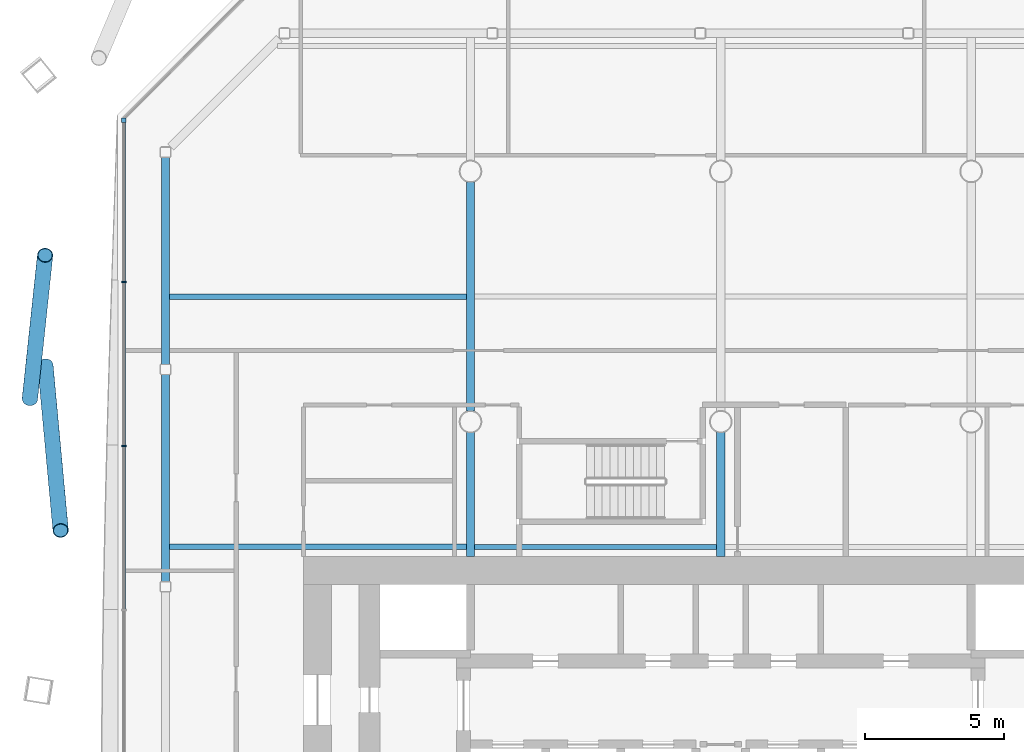
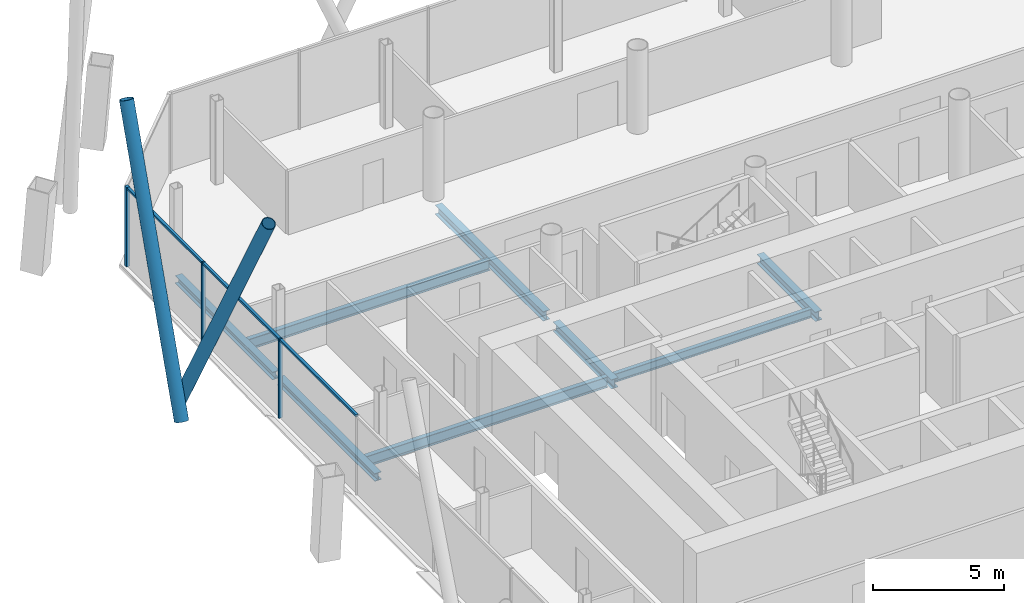
# One storey, part 8 of 22: 8 beams, 8 members, 1 element without a shape of its own.
"""IFC4 building model written with IfcOpenShell, lengths in metres."""

from ifc_helpers import new_model, si_unit, direction, frame, origin, origin_2d, place, context, subcontext, project, spatial, rectangle, hollow_circle, i_section, extrude, material, material_profile, profile_set, type_object, element, aggregate, save


model = new_model("IFC4")

# Units and contexts
model_context = context("Model", 3, precision=1e-05, world=origin(), true_north=direction((0.0, 1.0)))
body_context = subcontext(model_context, "Body", "Model", "MODEL_VIEW")
ifc_project = project(units=[si_unit("LENGTHUNIT", "METRE"), si_unit("AREAUNIT", "SQUARE_METRE"), si_unit("VOLUMEUNIT", "CUBIC_METRE"), si_unit("PLANEANGLEUNIT", "RADIAN"), si_unit("MASSUNIT", "GRAM", prefix="KILO")], contexts=[model_context])

# Site, building, storey
site_placement = place(None, origin())
site = spatial("IfcSite", under=ifc_project, at=site_placement, CompositionType="ELEMENT")
building_placement = place(site_placement, origin())
building = spatial("IfcBuilding", under=site, at=building_placement, Name="Tskaro Facet Tower", CompositionType="ELEMENT")
storey_placement = place(building_placement, frame((0.0, 0.0, 85.5)))
storey = spatial("IfcBuildingStorey", under=building, at=storey_placement, Name="L20", CompositionType="ELEMENT", Elevation=85.5)

# Members
ifc_material_1 = material(Name="Steel S355J2H", Category="steel")
ifc_material_profile_1 = material_profile(ifc_material_1, hollow_circle(Radius=0.279541015625, WallThickness=0.02490234375, at=origin_2d()), Name="CHS 559x25")
ifc_profile_set_1 = profile_set([ifc_material_profile_1], Name="Steel S355J2H")
member_type_1 = type_object("IfcMemberType", Name="CHS 559x25 brace", PredefinedType="BRACE", material=ifc_profile_set_1)
member_1_placement = place(storey_placement, frame((-24.283447265625, 11.010986328125, 0.0), z_axis=(0.041738890119, -0.45133429979, 0.891378267003), x_axis=(0.9957510629, 0.092085942104, 0.0)))
element("IfcMember", 1, at=member_1_placement, inside=storey, type_object=member_type_1, Name="CHS 559x25 XB10A/2", PredefinedType="BRACE", context=body_context, shape_type="SweptSolid", body=[
    extrude(hollow_circle(Radius=0.279541015625, WallThickness=0.02490234375, at=origin_2d()), origin(), (0.0, 0.0, 1.0), 13.125732421875),
])
member_2_placement = place(storey_placement, frame((-24.842529296875, 9.83154296875, 0.0), z_axis=(0.042830293979, 0.402814622306, 0.914278921322), x_axis=(-0.994394709147, 0.105731558304, 0.0)))
element("IfcMember", 2, at=member_2_placement, inside=storey, type_object=member_type_1, Name="CHS 559x25 XB10B/2", PredefinedType="BRACE", context=body_context, shape_type="SweptSolid", body=[
    extrude(hollow_circle(Radius=0.279541015625, WallThickness=0.02490234375, at=origin_2d()), origin(), (0.0, 0.0, 1.0), 12.796875),
])

# Curtain wall, members
ifc_material_2 = material(Name="Bronze anodised aluminium 6063-T6", Category="aluminium")
curtain_wall_type = type_object("IfcCurtainWallType", Name="Bronze office curtain wall (FW1)", PredefinedType="NOTDEFINED", material=ifc_material_2)
curtain_wall_placement = place(storey_placement, origin())
curtain_wall = element("IfcCurtainWall", 3, at=curtain_wall_placement, inside=storey, type_object=curtain_wall_type, Name="FW1 west facet L20", PredefinedType="NOTDEFINED")
ifc_material_profile_2 = material_profile(ifc_material_2, rectangle(XDim=0.159912109375, YDim=0.159912109375, at=origin_2d()), Name="Corner post 160x160")
ifc_profile_set_2 = profile_set([ifc_material_profile_2], Name="Bronze anodised aluminium 6063-T6")
member_type_2 = type_object("IfcMemberType", Name="FW1 bronze corner post 160x160", PredefinedType="MULLION", material=ifc_profile_set_2)
member_3_placement = place(storey_placement, frame((-21.462890625, 19.8330078125, 0.0), z_axis=(0.0, 0.0, 1.0), x_axis=(0.0, -1.0, 0.0)))
member_3 = element("IfcMember", 4, at=member_3_placement, type_object=member_type_2, Name="FW1 west corner post", PredefinedType="MULLION", context=body_context, shape_type="SweptSolid", body=[
    extrude(rectangle(XDim=0.159912109375, YDim=0.159912109375, at=origin_2d()), origin(), (0.0, 0.0, 1.0), 3.699951171875),
])
ifc_material_profile_3 = material_profile(ifc_material_2, rectangle(XDim=0.06005859375, YDim=0.159912109375, at=origin_2d()), Name="Mullion 60x160")
ifc_profile_set_3 = profile_set([ifc_material_profile_3], Name="Bronze anodised aluminium 6063-T6")
member_type_3 = type_object("IfcMemberType", Name="FW1 bronze mullion 60x160", PredefinedType="MULLION", material=ifc_profile_set_3)
member_4_placement = place(storey_placement, frame((-21.462890625, 14.0185546875, 0.0), z_axis=(0.0, 0.0, 1.0), x_axis=(0.0, -1.0, 0.0)))
member_4 = element("IfcMember", 5, at=member_4_placement, type_object=member_type_3, Name="FW1 west mullion 1", PredefinedType="MULLION", context=body_context, shape_type="SweptSolid", body=[
    extrude(rectangle(XDim=0.06005859375, YDim=0.159912109375, at=origin_2d()), origin(), (0.0, 0.0, 1.0), 3.699951171875),
])
member_5_placement = place(storey_placement, frame((-21.462890625, 8.1240234375, 0.0), z_axis=(0.0, 0.0, 1.0), x_axis=(0.0, -1.0, 0.0)))
member_5 = element("IfcMember", 6, at=member_5_placement, type_object=member_type_3, Name="FW1 west mullion 2", PredefinedType="MULLION", context=body_context, shape_type="SweptSolid", body=[
    extrude(rectangle(XDim=0.06005859375, YDim=0.159912109375, at=origin_2d()), origin(), (0.0, 0.0, 1.0), 3.699951171875),
])
ifc_material_profile_4 = material_profile(ifc_material_2, rectangle(XDim=0.1201171875, YDim=0.10009765625, at=origin_2d()), Name="Transom 120x100")
ifc_profile_set_4 = profile_set([ifc_material_profile_4], Name="Bronze anodised aluminium 6063-T6")
member_type_4 = type_object("IfcMemberType", Name="FW1 bronze transom 120x100", PredefinedType="USERDEFINED", material=ifc_profile_set_4)
member_6_placement = place(storey_placement, frame((-21.462890625, 19.7529296875, 3.64990234375), z_axis=(0.0, -1.0, 0.0), x_axis=(1.0, 0.0, 0.0)))
member_6 = element("IfcMember", 7, at=member_6_placement, type_object=member_type_4, Name="FW1 west transom 1.1", ObjectType="TRANSOM", PredefinedType="USERDEFINED", context=body_context, shape_type="SweptSolid", body=[
    extrude(rectangle(XDim=0.1201171875, YDim=0.10009765625, at=origin_2d()), origin(), (0.0, 0.0, 1.0), 5.704345703125),
])
member_7_placement = place(storey_placement, frame((-21.462890625, 13.988525390625, 3.64990234375), z_axis=(0.0, -1.0, 0.0), x_axis=(1.0, 0.0, 0.0)))
member_7 = element("IfcMember", 8, at=member_7_placement, type_object=member_type_4, Name="FW1 west transom 2.1", ObjectType="TRANSOM", PredefinedType="USERDEFINED", context=body_context, shape_type="SweptSolid", body=[
    extrude(rectangle(XDim=0.1201171875, YDim=0.10009765625, at=origin_2d()), origin(), (0.0, 0.0, 1.0), 5.83447265625),
])
member_8_placement = place(storey_placement, frame((-21.462890625, 8.09423828125, 3.64990234375), z_axis=(0.0, -1.0, 0.0), x_axis=(1.0, 0.0, 0.0)))
member_8 = element("IfcMember", 9, at=member_8_placement, type_object=member_type_4, Name="FW1 west transom 3.1", ObjectType="TRANSOM", PredefinedType="USERDEFINED", context=body_context, shape_type="SweptSolid", body=[
    extrude(rectangle(XDim=0.1201171875, YDim=0.10009765625, at=origin_2d()), origin(), (0.0, 0.0, 1.0), 5.83447265625),
])
aggregate(curtain_wall, [member_3, member_4, member_5, member_6, member_7, member_8])

# Beams
ifc_material_3 = material(Name="Steel S355J2", Category="steel")
ifc_material_profile_5 = material_profile(ifc_material_3, i_section(OverallWidth=0.300048828125, OverallDepth=0.360107421875, WebThickness=0.012451171875, FlangeThickness=0.0224609375, FilletRadius=0.027099609375, at=origin_2d()), Name="HE 360 B")
ifc_profile_set_5 = profile_set([ifc_material_profile_5], Name="Steel S355J2")
beam_type_1 = type_object("IfcBeamType", Name="HE 360 B ring beam", PredefinedType="BEAM", material=ifc_profile_set_5)
for number, where, z_axis, x_axis, name in (
    (10, (-19.965087890625, 18.510009765625, -0.320068359375), (0.0, -1.0, 0.0), (1.0, 0.0, 0.0), "HE 360 B EB19-2"),
    (11, (-19.965087890625, 10.698974609375, -0.320068359375), (0.0, -1.0, 0.0), (1.0, 0.0, 0.0), "HE 360 B EB20-2"),
):
    element("IfcBeam", number, at=place(storey_placement, frame(where, z_axis=z_axis, x_axis=x_axis)), inside=storey, type_object=beam_type_1, Name=name, PredefinedType="BEAM", context=body_context, shape_type="SweptSolid", body=[
        extrude(i_section(OverallWidth=0.300048828125, OverallDepth=0.360107421875, WebThickness=0.012451171875, FlangeThickness=0.0224609375, FilletRadius=0.027099609375, at=origin_2d()), origin(), (0.0, 0.0, 1.0), 7.450927734375),
    ])
ifc_material_profile_6 = material_profile(ifc_material_3, i_section(OverallWidth=0.300048828125, OverallDepth=0.43994140625, WebThickness=0.011474609375, FlangeThickness=0.02099609375, FilletRadius=0.027099609375, at=origin_2d()), Name="HE 450 A")
ifc_profile_set_6 = profile_set([ifc_material_profile_6], Name="Steel S355J2")
beam_type_2 = type_object("IfcBeamType", Name="HE 450 A girder", PredefinedType="BEAM", material=ifc_profile_set_6)
beam_1_placement = place(storey_placement, frame((-9.0, 4.14990234375, -0.360107421875), z_axis=(0.0, 1.0, 0.0), x_axis=(-1.0, 0.0, 0.0)))
element("IfcBeam", 12, at=beam_1_placement, inside=storey, type_object=beam_type_2, Name="HE 450 A GB3-3-2", PredefinedType="BEAM", context=body_context, shape_type="SweptSolid", body=[
    extrude(i_section(OverallWidth=0.300048828125, OverallDepth=0.43994140625, WebThickness=0.011474609375, FlangeThickness=0.02099609375, FilletRadius=0.027099609375, at=origin_2d()), origin(), (0.0, 0.0, 1.0), 4.4736328125),
])
beam_2_placement = place(storey_placement, frame((-9.0, 9.37646484375, -0.360107421875), z_axis=(0.0, 1.0, 0.0), x_axis=(-1.0, 0.0, 0.0)))
element("IfcBeam", 13, at=beam_2_placement, inside=storey, type_object=beam_type_2, Name="HE 450 A GB3-4-2", PredefinedType="BEAM", context=body_context, shape_type="SweptSolid", body=[
    extrude(i_section(OverallWidth=0.300048828125, OverallDepth=0.43994140625, WebThickness=0.011474609375, FlangeThickness=0.02099609375, FilletRadius=0.027099609375, at=origin_2d()), origin(), (0.0, 0.0, 1.0), 8.2470703125),
])
beam_3_placement = place(storey_placement, frame((0.0, 4.14990234375, -0.360107421875), z_axis=(0.0, 1.0, 0.0), x_axis=(-1.0, 0.0, 0.0)))
element("IfcBeam", 14, at=beam_3_placement, inside=storey, type_object=beam_type_2, Name="HE 450 A GB4-3-2", PredefinedType="BEAM", context=body_context, shape_type="SweptSolid", body=[
    extrude(i_section(OverallWidth=0.300048828125, OverallDepth=0.43994140625, WebThickness=0.011474609375, FlangeThickness=0.02099609375, FilletRadius=0.027099609375, at=origin_2d()), origin(), (0.0, 0.0, 1.0), 4.4736328125),
])
ifc_material_profile_7 = material_profile(ifc_material_3, i_section(OverallWidth=0.179931640625, OverallDepth=0.39990234375, WebThickness=0.008544921875, FlangeThickness=0.013427734375, FilletRadius=0.02099609375, at=origin_2d()), Name="IPE 400")
ifc_profile_set_7 = profile_set([ifc_material_profile_7], Name="Steel S355J2")
beam_type_3 = type_object("IfcBeamType", Name="IPE 400 secondary beam", PredefinedType="BEAM", material=ifc_profile_set_7)
beam_4_placement = place(storey_placement, frame((-8.85009765625, 4.5, -0.340087890625), z_axis=(1.0, 0.0, 0.0), x_axis=(0.0, 1.0, 0.0)))
element("IfcBeam", 15, at=beam_4_placement, inside=storey, type_object=beam_type_3, Name="IPE 400 SB4a-2-2", PredefinedType="BEAM", context=body_context, shape_type="SweptSolid", body=[
    extrude(i_section(OverallWidth=0.179931640625, OverallDepth=0.39990234375, WebThickness=0.008544921875, FlangeThickness=0.013427734375, FilletRadius=0.02099609375, at=origin_2d()), origin(), (0.0, 0.0, 1.0), 8.7001953125),
])
ifc_material_profile_8 = material_profile(ifc_material_3, i_section(OverallWidth=0.199951171875, OverallDepth=0.5, WebThickness=0.01025390625, FlangeThickness=0.01611328125, FilletRadius=0.02099609375, at=origin_2d()), Name="IPE 500")
ifc_profile_set_8 = profile_set([ifc_material_profile_8], Name="Steel S355J2")
beam_type_4 = type_object("IfcBeamType", Name="IPE 500 long secondary beam", PredefinedType="BEAM", material=ifc_profile_set_8)
for number, where, z_axis, x_axis, name in (
    (16, (-19.81494140625, 4.5, -0.389892578125), (1.0, 0.0, 0.0), (0.0, 1.0, 0.0), "IPE 500 LSB4a-1-2"),
    (17, (-19.81494140625, 13.5, -0.389892578125), (1.0, 0.0, 0.0), (0.0, 1.0, 0.0), "IPE 500 LSB5a-1-2"),
):
    element("IfcBeam", number, at=place(storey_placement, frame(where, z_axis=z_axis, x_axis=x_axis)), inside=storey, type_object=beam_type_4, Name=name, PredefinedType="BEAM", context=body_context, shape_type="SweptSolid", body=[
        extrude(i_section(OverallWidth=0.199951171875, OverallDepth=0.5, WebThickness=0.01025390625, FlangeThickness=0.01611328125, FilletRadius=0.02099609375, at=origin_2d()), origin(), (0.0, 0.0, 1.0), 10.6650390625),
    ])

save(model, "model.ifc")
